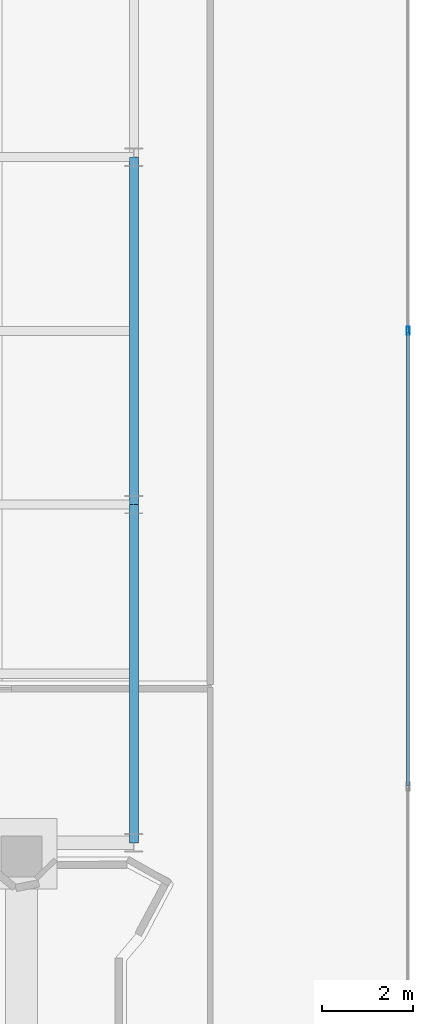
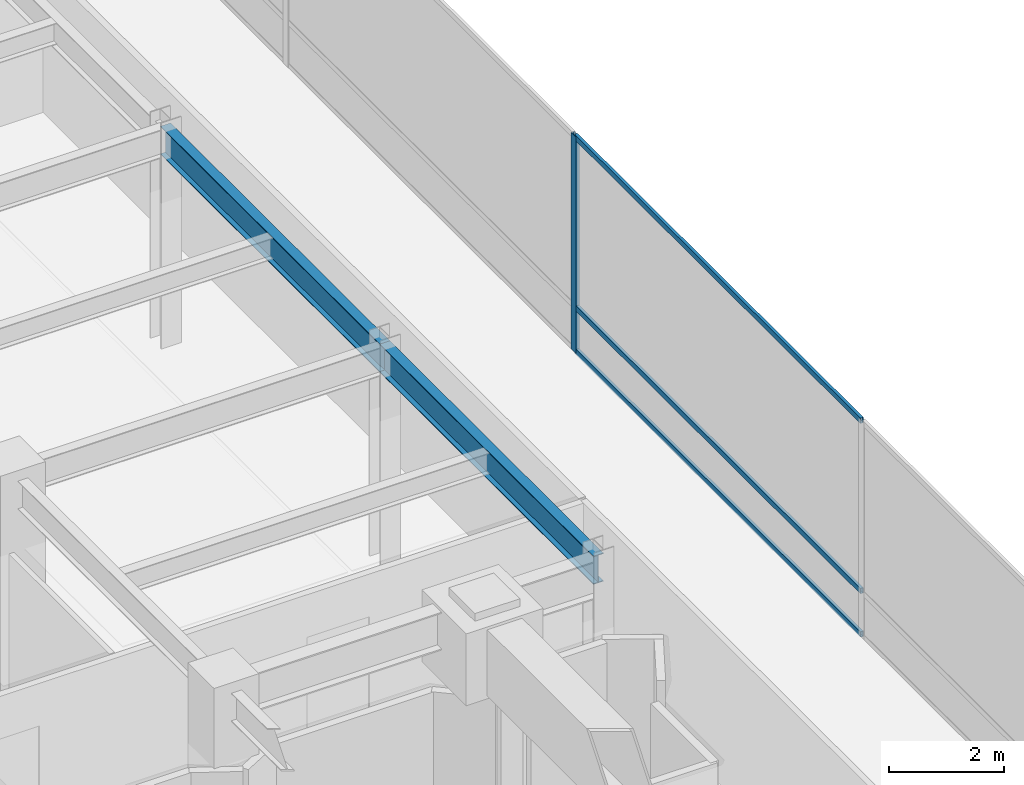
# One storey, part 27 of 45: 4 members, 2 beams, 1 element without a shape of its own.
"""IFC4 building model written with IfcOpenShell, lengths in metres."""

from ifc_helpers import new_model, si_unit, direction, frame, origin, origin_2d, place, context, subcontext, project, spatial, hollow_rectangle, i_section, extrude, material, layer, layer_set, material_profile, profile_set, type_object, element, aggregate, save


model = new_model("IFC4")

# Units and contexts
model_context = context("Model", 3, precision=1e-05, world=origin(), true_north=direction((0.0, 1.0)))
body_context = subcontext(model_context, "Body", "Model", "MODEL_VIEW")
ifc_project = project(units=[si_unit("LENGTHUNIT", "METRE"), si_unit("AREAUNIT", "SQUARE_METRE"), si_unit("VOLUMEUNIT", "CUBIC_METRE"), si_unit("PLANEANGLEUNIT", "RADIAN"), si_unit("MASSUNIT", "GRAM", prefix="KILO")], contexts=[model_context])

# Site, building, storey
site_placement = place(None, origin())
site = spatial("IfcSite", under=ifc_project, at=site_placement, CompositionType="ELEMENT")
building_placement = place(site_placement, origin())
building = spatial("IfcBuilding", under=site, at=building_placement, Name="Qianvela Tower", CompositionType="ELEMENT")
storey_placement = place(building_placement, frame((0.0, 0.0, 11.0)))
storey = spatial("IfcBuildingStorey", under=building, at=storey_placement, Name="L02", CompositionType="ELEMENT", Elevation=11.0)

# Beams
ifc_material_1 = material(Name="Steel Q355B", Category="steel")
ifc_material_profile_1 = material_profile(ifc_material_1, i_section(OverallWidth=0.199951171875, OverallDepth=0.60009765625, WebThickness=0.010986328125, FlangeThickness=0.01708984375, at=origin_2d()), Name="HN600x200x11x17")
ifc_profile_set_1 = profile_set([ifc_material_profile_1], Name="Steel Q355B")
beam_type = type_object("IfcBeamType", Name="BM-HN600-GIRD", PredefinedType="BEAM", material=ifc_profile_set_1)
beam_1_placement = place(storey_placement, frame((67.5, 14.800048828125, 4.278076171875), z_axis=(0.0, 1.0, 0.0), x_axis=(-1.0, 0.0, 0.0)))
element("IfcBeam", 1, at=beam_1_placement, inside=storey, type_object=beam_type, Name="L02 North-South Grid Girder 32", PredefinedType="BEAM", context=body_context, shape_type="SweptSolid", body=[
    extrude(i_section(OverallWidth=0.199951171875, OverallDepth=0.60009765625, WebThickness=0.010986328125, FlangeThickness=0.01708984375, at=origin_2d()), origin(), (0.0, 0.0, 1.0), 7.39990234375),
])
beam_2_placement = place(storey_placement, frame((67.5, 22.199951171875, 4.278076171875), z_axis=(0.0, 1.0, 0.0), x_axis=(-1.0, 0.0, 0.0)))
element("IfcBeam", 2, at=beam_2_placement, inside=storey, type_object=beam_type, Name="L02 North-South Grid Girder 33", PredefinedType="BEAM", context=body_context, shape_type="SweptSolid", body=[
    extrude(i_section(OverallWidth=0.199951171875, OverallDepth=0.60009765625, WebThickness=0.010986328125, FlangeThickness=0.01708984375, at=origin_2d()), origin(), (0.0, 0.0, 1.0), 7.60009765625),
])

# Curtain wall, members
ifc_material_2 = material(Name="Anodised Architectural Aluminium and Low-E Glass", Category="aluminium")
ifc_layer = layer(ifc_material_2, 0.179931640625)
ifc_layer_set = layer_set([ifc_layer], Name="Anodised Architectural Aluminium and Low-E Glass")
curtain_wall_type = type_object("IfcCurtainWallType", Name="CW-COMMONS", PredefinedType="USERDEFINED", material=ifc_layer_set)
curtain_wall_placement = place(storey_placement, origin())
curtain_wall = element("IfcCurtainWall", 3, at=curtain_wall_placement, inside=storey, type_object=curtain_wall_type, Name="L02 CW-COMMONS Curtain Wall 03", ObjectType="CURTAIN_WALL_SYSTEM", PredefinedType="USERDEFINED")
ifc_material_3 = material(Name="Anodised Architectural Aluminium 6063-T6", Category="aluminium")
ifc_material_profile_2 = material_profile(ifc_material_3, hollow_rectangle(XDim=0.070068359375, YDim=0.179931640625, WallThickness=0.0048828125, at=origin_2d()), Name="ALU-MULL-70x180")
ifc_profile_set_2 = profile_set([ifc_material_profile_2], Name="Anodised Architectural Aluminium 6063-T6")
member_type_1 = type_object("IfcMemberType", Name="CW-COMMONS-MULL", PredefinedType="MULLION", material=ifc_profile_set_2)
member_1_placement = place(storey_placement, frame((73.5, 26.0, 0.0), z_axis=(0.0, 0.0, 1.0), x_axis=(-1.0, 0.0, 0.0)))
member_1 = element("IfcMember", 4, at=member_1_placement, type_object=member_type_1, Name="CW-2 mullion 3", PredefinedType="MULLION", context=body_context, shape_type="SweptSolid", body=[
    extrude(hollow_rectangle(XDim=0.070068359375, YDim=0.179931640625, WallThickness=0.0048828125, at=origin_2d()), origin(), (0.0, 0.0, 1.0), 4.580078125),
])
ifc_material_4 = material(Name="Anodised Architectural Aluminium 6063-T6", Category="aluminium")
ifc_material_profile_3 = material_profile(ifc_material_4, hollow_rectangle(XDim=0.06005859375, YDim=0.114990234375, WallThickness=0.00390625, at=origin_2d()), Name="ALU-TRAN-60x115")
ifc_profile_set_3 = profile_set([ifc_material_profile_3], Name="Anodised Architectural Aluminium 6063-T6")
member_type_2 = type_object("IfcMemberType", Name="CW-COMMONS-TRAN", PredefinedType="USERDEFINED", material=ifc_profile_set_3)
member_2_placement = place(storey_placement, frame((73.5, 16.06005859375, 0.030029296875), z_axis=(0.0, 1.0, 0.0), x_axis=(-1.0, 0.0, 0.0)))
member_2 = element("IfcMember", 5, at=member_2_placement, type_object=member_type_2, Name="CW-2 transom 2.1", ObjectType="TRANSOM", PredefinedType="USERDEFINED", context=body_context, shape_type="SweptSolid", body=[
    extrude(hollow_rectangle(XDim=0.06005859375, YDim=0.114990234375, WallThickness=0.00390625, at=origin_2d()), origin(), (0.0, 0.0, 1.0), 9.905029296875),
])
member_3_placement = place(storey_placement, frame((73.5, 16.06005859375, 0.949951171875), z_axis=(0.0, 1.0, 0.0), x_axis=(-1.0, 0.0, 0.0)))
member_3 = element("IfcMember", 6, at=member_3_placement, type_object=member_type_2, Name="CW-2 transom 2.2", ObjectType="TRANSOM", PredefinedType="USERDEFINED", context=body_context, shape_type="SweptSolid", body=[
    extrude(hollow_rectangle(XDim=0.06005859375, YDim=0.114990234375, WallThickness=0.00390625, at=origin_2d()), origin(), (0.0, 0.0, 1.0), 9.905029296875),
])
member_4_placement = place(storey_placement, frame((73.5, 16.06005859375, 4.550048828125), z_axis=(0.0, 1.0, 0.0), x_axis=(-1.0, 0.0, 0.0)))
member_4 = element("IfcMember", 7, at=member_4_placement, type_object=member_type_2, Name="CW-2 transom 2.3", ObjectType="TRANSOM", PredefinedType="USERDEFINED", context=body_context, shape_type="SweptSolid", body=[
    extrude(hollow_rectangle(XDim=0.06005859375, YDim=0.114990234375, WallThickness=0.00390625, at=origin_2d()), origin(), (0.0, 0.0, 1.0), 9.905029296875),
])
aggregate(curtain_wall, [member_1, member_2, member_3, member_4])

save(model, "model.ifc")
